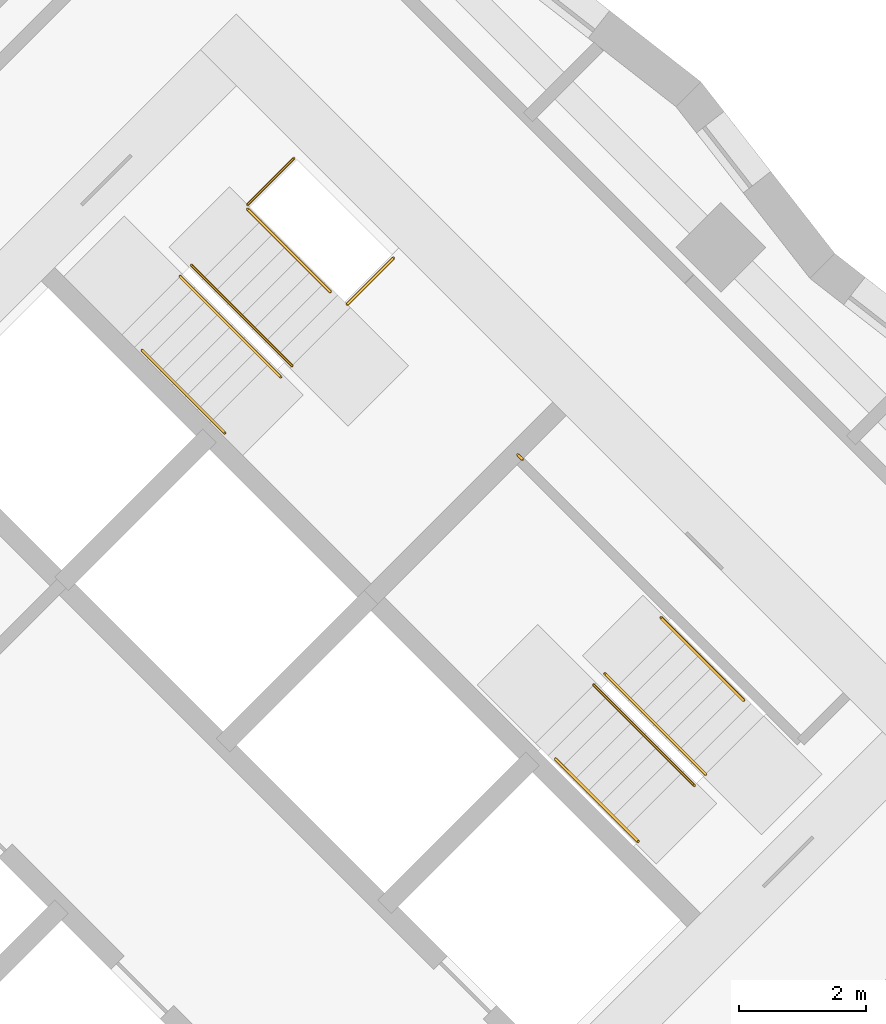
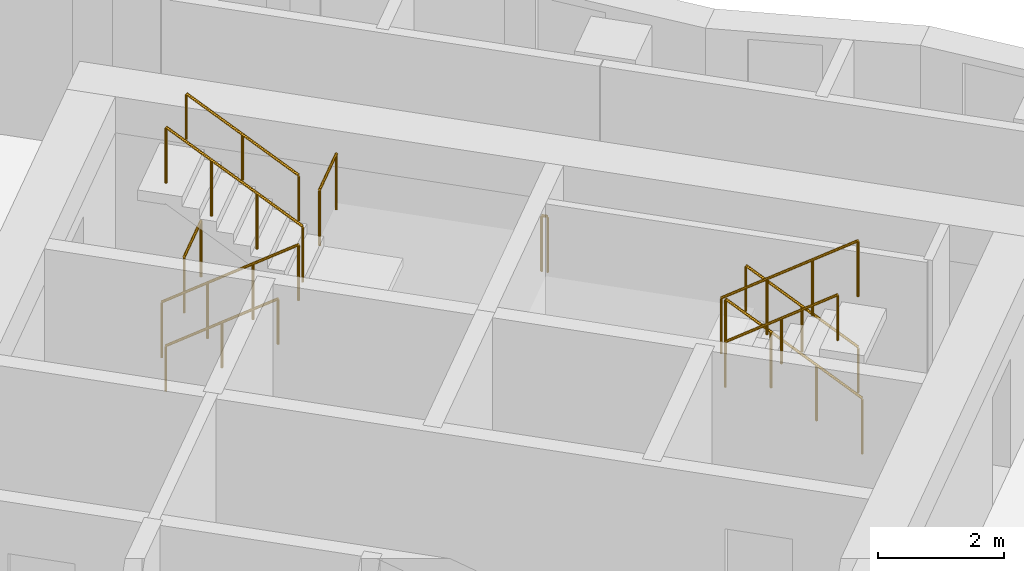
# One storey, part 13 of 13: 11 railings.
"""IFC4 building model written with IfcOpenShell, lengths in metres."""

from ifc_helpers import new_model, si_unit, direction, frame, origin, origin_2d, place, context, subcontext, project, spatial, circle, extrude, material, type_object, element, save


model = new_model("IFC4")

# Units and contexts
model_context = context("Model", 3, precision=1e-05, world=origin(), true_north=direction((0.0, 1.0)))
body_context = subcontext(model_context, "Body", "Model", "MODEL_VIEW")
ifc_project = project(units=[si_unit("LENGTHUNIT", "METRE"), si_unit("AREAUNIT", "SQUARE_METRE"), si_unit("VOLUMEUNIT", "CUBIC_METRE"), si_unit("PLANEANGLEUNIT", "RADIAN"), si_unit("MASSUNIT", "GRAM", prefix="KILO")], contexts=[model_context])

# Site, building, storey
site_placement = place(None, origin())
site = spatial("IfcSite", under=ifc_project, at=site_placement, CompositionType="ELEMENT")
building_placement = place(site_placement, origin())
building = spatial("IfcBuilding", under=site, at=building_placement, Name="Windrow Commons", CompositionType="ELEMENT")
storey_placement = place(building_placement, frame((0.0, 0.0, 94.8)))
storey = spatial("IfcBuildingStorey", under=building, at=storey_placement, Name="L25", CompositionType="ELEMENT", Elevation=94.8)

# Railings
ifc_material_1 = material(Name="Steel S355", Category="steel")
railing_type_1 = type_object("IfcRailingType", Name="Core stair guard 1100", PredefinedType="GUARDRAIL", material=ifc_material_1)
railing_1_placement = place(storey_placement, frame((85.9529, 56.2669, 0.1889)))
element("IfcRailing", 1, at=railing_1_placement, inside=storey, type_object=railing_type_1, Name="L25 ST-B1 stair guard 1", PredefinedType="GUARDRAIL", context=body_context, shape_type="SweptSolid", body=[
    extrude(circle(Radius=0.024, at=origin_2d()), frame((0.0, 0.0, 1.076), z_axis=(0.5861914914, -0.5861914914, 0.5592486664), x_axis=(0.7071067812, 0.7071067812, 0.0)), (0.0, 0.0, 1.0), 2.702),
    extrude(circle(Radius=0.021, at=origin_2d()), origin(), (0.0, 0.0, 1.0), 1.052),
    extrude(circle(Radius=0.021, at=origin_2d()), frame((0.528, -0.528, 0.5037)), (0.0, 0.0, 1.0), 1.052),
    extrude(circle(Radius=0.021, at=origin_2d()), frame((1.0559, -1.0559, 1.0074)), (0.0, 0.0, 1.0), 1.052),
    extrude(circle(Radius=0.021, at=origin_2d()), frame((1.5839, -1.5839, 1.5111)), (0.0, 0.0, 1.0), 1.052),
])
railing_2_placement = place(storey_placement, frame((87.7136, 54.8597, 1.8889)))
element("IfcRailing", 2, at=railing_2_placement, inside=storey, type_object=railing_type_1, Name="L25 ST-B1 stair guard 2", PredefinedType="GUARDRAIL", context=body_context, shape_type="SweptSolid", body=[
    extrude(circle(Radius=0.024, at=origin_2d()), frame((0.0, 0.0, 1.076), z_axis=(-0.5862030657, 0.5862030657, 0.5592244018), x_axis=(-0.7071067812, -0.7071067812, 0.0)), (0.0, 0.0, 1.0), 2.7021),
    extrude(circle(Radius=0.021, at=origin_2d()), origin(), (0.0, 0.0, 1.0), 1.052),
    extrude(circle(Radius=0.021, at=origin_2d()), frame((-0.528, 0.528, 0.5037)), (0.0, 0.0, 1.0), 1.052),
    extrude(circle(Radius=0.021, at=origin_2d()), frame((-1.056, 1.056, 1.0074)), (0.0, 0.0, 1.0), 1.052),
    extrude(circle(Radius=0.021, at=origin_2d()), frame((-1.584, 1.584, 1.5111)), (0.0, 0.0, 1.0), 1.052),
])
railing_3_placement = place(storey_placement, frame((87.0135, 57.3982, 0.0)))
element("IfcRailing", 3, at=railing_3_placement, inside=storey, type_object=railing_type_1, Name="L25 ST-B1 stair guard 3", PredefinedType="GUARDRAIL", context=body_context, shape_type="SweptSolid", body=[
    extrude(circle(Radius=0.024, at=origin_2d()), frame((0.0, 0.0, 1.076), z_axis=(0.7070582378, 0.7071553212, 0.0), x_axis=(-0.7071553212, 0.7070582378, 0.0)), (0.0, 0.0, 1.0), 1.03),
    extrude(circle(Radius=0.021, at=origin_2d()), origin(), (0.0, 0.0, 1.0), 1.052),
    extrude(circle(Radius=0.021, at=origin_2d()), frame((0.7283, 0.7284, 0.0)), (0.0, 0.0, 1.0), 1.052),
])
railing_4_placement = place(storey_placement, frame((88.5833, 55.8285, 1.7)))
element("IfcRailing", 4, at=railing_4_placement, inside=storey, type_object=railing_type_1, Name="L25 ST-B1 stair guard 4", PredefinedType="GUARDRAIL", context=body_context, shape_type="SweptSolid", body=[
    extrude(circle(Radius=0.024, at=origin_2d()), frame((0.0, 0.0, 1.076), z_axis=(0.7071067812, 0.7071067812, 0.0), x_axis=(-0.7071067812, 0.7071067812, 0.0)), (0.0, 0.0, 1.0), 1.03),
    extrude(circle(Radius=0.021, at=origin_2d()), origin(), (0.0, 0.0, 1.0), 1.052),
    extrude(circle(Radius=0.021, at=origin_2d()), frame((0.7283, 0.7283, 0.0)), (0.0, 0.0, 1.0), 1.052),
])
railing_5_placement = place(storey_placement, frame((94.2296, 48.4215, 0.1889)))
element("IfcRailing", 5, at=railing_5_placement, inside=storey, type_object=railing_type_1, Name="L25 ST-B2 stair guard 1", PredefinedType="GUARDRAIL", context=body_context, shape_type="SweptSolid", body=[
    extrude(circle(Radius=0.024, at=origin_2d()), frame((0.0, 0.0, 1.076), z_axis=(-0.5862157828, 0.5861787742, 0.5592365337), x_axis=(-0.7070844598, -0.7071291018, 0.0)), (0.0, 0.0, 1.0), 2.7021),
    extrude(circle(Radius=0.021, at=origin_2d()), origin(), (0.0, 0.0, 1.0), 1.052),
    extrude(circle(Radius=0.021, at=origin_2d()), frame((-0.528, 0.528, 0.5037)), (0.0, 0.0, 1.0), 1.052),
    extrude(circle(Radius=0.021, at=origin_2d()), frame((-1.056, 1.0559, 1.0074)), (0.0, 0.0, 1.0), 1.052),
    extrude(circle(Radius=0.021, at=origin_2d()), frame((-1.584, 1.5839, 1.5111)), (0.0, 0.0, 1.0), 1.052),
])
railing_6_placement = place(storey_placement, frame((92.4689, 49.8287, 1.8889)))
element("IfcRailing", 6, at=railing_6_placement, inside=storey, type_object=railing_type_1, Name="L25 ST-B2 stair guard 2", PredefinedType="GUARDRAIL", context=body_context, shape_type="SweptSolid", body=[
    extrude(circle(Radius=0.024, at=origin_2d()), frame((0.0, 0.0, 1.076), z_axis=(0.5861787742, -0.5862157828, 0.5592365337), x_axis=(0.7071291018, 0.7070844598, 0.0)), (0.0, 0.0, 1.0), 2.7021),
    extrude(circle(Radius=0.021, at=origin_2d()), origin(), (0.0, 0.0, 1.0), 1.052),
    extrude(circle(Radius=0.021, at=origin_2d()), frame((0.528, -0.528, 0.5037)), (0.0, 0.0, 1.0), 1.052),
    extrude(circle(Radius=0.021, at=origin_2d()), frame((1.0559, -1.056, 1.0074)), (0.0, 0.0, 1.0), 1.052),
    extrude(circle(Radius=0.021, at=origin_2d()), frame((1.5839, -1.584, 1.5111)), (0.0, 0.0, 1.0), 1.052),
])
railing_7_placement = place(storey_placement, frame((91.3446, 53.3854, 1.7)))
element("IfcRailing", 7, at=railing_7_placement, inside=storey, type_object=railing_type_1, Name="L25 ST-B2 stair guard 3", PredefinedType="GUARDRAIL", context=body_context, shape_type="SweptSolid", body=[
    extrude(circle(Radius=0.024, at=origin_2d()), frame((0.0, 0.0, 1.076), z_axis=(-0.7076063266, 0.7066068826, 0.0), x_axis=(-0.7066068826, -0.7076063266, 0.0)), (0.0, 0.0, 1.0), 0.1001),
    extrude(circle(Radius=0.021, at=origin_2d()), origin(), (0.0, 0.0, 1.0), 1.052),
    extrude(circle(Radius=0.021, at=origin_2d()), frame((-0.0708, 0.0707, 0.0)), (0.0, 0.0, 1.0), 1.052),
])
ifc_material_2 = material(Name="Steel S355", Category="steel")
railing_type_2 = type_object("IfcRailingType", Name="Core stair handrail 900", PredefinedType="HANDRAIL", material=ifc_material_2)
railing_8_placement = place(storey_placement, frame((85.3518, 55.1001, 0.4587)))
element("IfcRailing", 8, at=railing_8_placement, inside=storey, type_object=railing_type_2, Name="L25 ST-B1 stair handrail 1", PredefinedType="HANDRAIL", context=body_context, shape_type="SweptSolid", body=[
    extrude(circle(Radius=0.024, at=origin_2d()), frame((0.0, 0.0, 0.876), z_axis=(0.586206706, -0.5861616513, 0.5592639952), x_axis=(0.7070796062, 0.7071339551, 0.0)), (0.0, 0.0, 1.0), 2.2195),
    extrude(circle(Radius=0.021, at=origin_2d()), origin(), (0.0, 0.0, 1.0), 0.852),
    extrude(circle(Radius=0.021, at=origin_2d()), frame((0.6506, -0.6505, 0.6206)), (0.0, 0.0, 1.0), 0.852),
    extrude(circle(Radius=0.021, at=origin_2d()), frame((1.3011, -1.301, 1.2413)), (0.0, 0.0, 1.0), 0.852),
])
railing_9_placement = place(storey_placement, frame((88.3146, 56.0265, 2.1587)))
element("IfcRailing", 9, at=railing_9_placement, inside=storey, type_object=railing_type_2, Name="L25 ST-B1 stair handrail 2", PredefinedType="HANDRAIL", context=body_context, shape_type="SweptSolid", body=[
    extrude(circle(Radius=0.024, at=origin_2d()), frame((0.0, 0.0, 0.876), z_axis=(-0.586206706, 0.5861616513, 0.5592639952), x_axis=(-0.7070796062, -0.7071339551, 0.0)), (0.0, 0.0, 1.0), 2.2195),
    extrude(circle(Radius=0.021, at=origin_2d()), origin(), (0.0, 0.0, 1.0), 0.852),
    extrude(circle(Radius=0.021, at=origin_2d()), frame((-0.6506, 0.6505, 0.6207)), (0.0, 0.0, 1.0), 0.852),
    extrude(circle(Radius=0.021, at=origin_2d()), frame((-1.3011, 1.301, 1.2413)), (0.0, 0.0, 1.0), 0.852),
])
railing_10_placement = place(storey_placement, frame((94.8306, 49.5883, 0.4587)))
element("IfcRailing", 10, at=railing_10_placement, inside=storey, type_object=railing_type_2, Name="L25 ST-B2 stair handrail 1", PredefinedType="HANDRAIL", context=body_context, shape_type="SweptSolid", body=[
    extrude(circle(Radius=0.024, at=origin_2d()), frame((0.0, 0.0, 0.876), z_axis=(-0.586206706, 0.5861616513, 0.5592639952), x_axis=(-0.7070796062, -0.7071339551, 0.0)), (0.0, 0.0, 1.0), 2.2195),
    extrude(circle(Radius=0.021, at=origin_2d()), origin(), (0.0, 0.0, 1.0), 0.852),
    extrude(circle(Radius=0.021, at=origin_2d()), frame((-0.6506, 0.6505, 0.6206)), (0.0, 0.0, 1.0), 0.852),
    extrude(circle(Radius=0.021, at=origin_2d()), frame((-1.3011, 1.301, 1.2413)), (0.0, 0.0, 1.0), 0.852),
])
railing_11_placement = place(storey_placement, frame((91.8678, 48.6619, 2.1587)))
element("IfcRailing", 11, at=railing_11_placement, inside=storey, type_object=railing_type_2, Name="L25 ST-B2 stair handrail 2", PredefinedType="HANDRAIL", context=body_context, shape_type="SweptSolid", body=[
    extrude(circle(Radius=0.024, at=origin_2d()), frame((0.0, 0.0, 0.876), z_axis=(0.586206706, -0.5861616513, 0.5592639952), x_axis=(0.7070796062, 0.7071339551, 0.0)), (0.0, 0.0, 1.0), 2.2195),
    extrude(circle(Radius=0.021, at=origin_2d()), origin(), (0.0, 0.0, 1.0), 0.852),
    extrude(circle(Radius=0.021, at=origin_2d()), frame((0.6505, -0.6505, 0.6207)), (0.0, 0.0, 1.0), 0.852),
    extrude(circle(Radius=0.021, at=origin_2d()), frame((1.3011, -1.301, 1.2413)), (0.0, 0.0, 1.0), 0.852),
])

save(model, "model.ifc")
